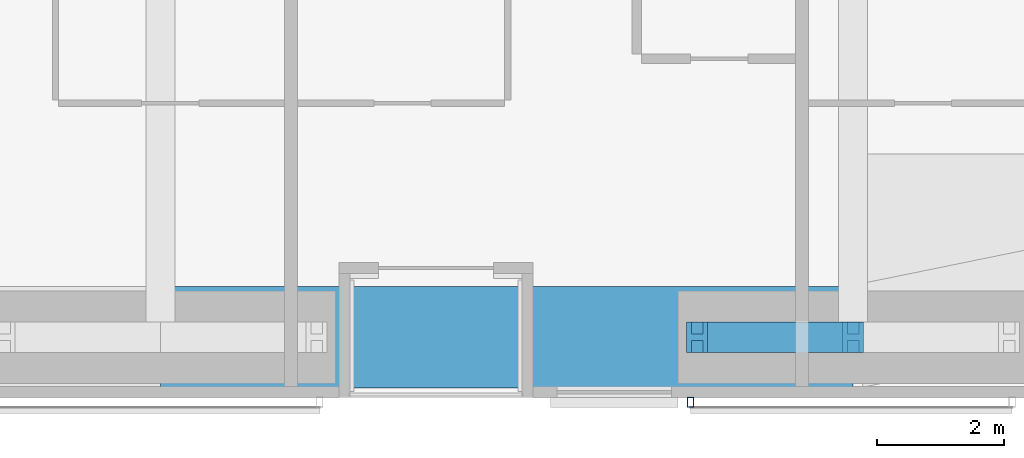
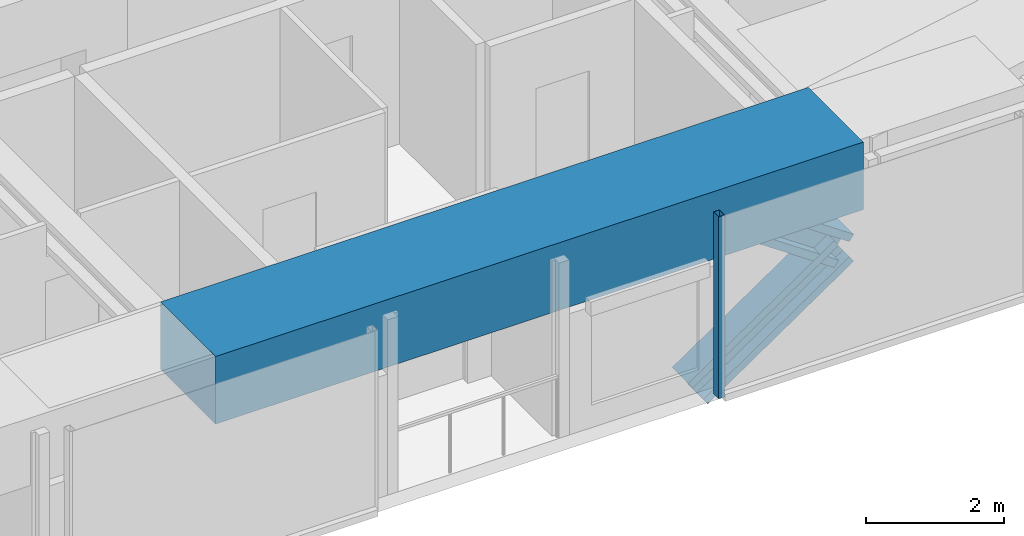
# One storey, part 5 of 24: 3 members, 1 beam, 1 element without a shape of its own.
"""IFC4 building model written with IfcOpenShell, lengths in metres."""

from ifc_helpers import new_model, si_unit, direction, frame, origin, origin_2d, place, context, subcontext, project, spatial, rectangle, hollow_rectangle, i_section, extrude, material, material_profile, profile_set, type_object, element, aggregate, save


model = new_model("IFC4")

# Units and contexts
model_context = context("Model", 3, precision=1e-05, world=origin(), true_north=direction((0.0, 1.0)))
body_context = subcontext(model_context, "Body", "Model", "MODEL_VIEW")
ifc_project = project(units=[si_unit("LENGTHUNIT", "METRE"), si_unit("AREAUNIT", "SQUARE_METRE"), si_unit("VOLUMEUNIT", "CUBIC_METRE"), si_unit("PLANEANGLEUNIT", "RADIAN"), si_unit("MASSUNIT", "GRAM", prefix="KILO")], contexts=[model_context])

# Site, building, storey
site_placement = place(None, origin())
site = spatial("IfcSite", under=ifc_project, at=site_placement, CompositionType="ELEMENT")
building_placement = place(site_placement, origin())
building = spatial("IfcBuilding", under=site, at=building_placement, Name="Jalousie Tower", CompositionType="ELEMENT")
storey_placement = place(building_placement, frame((0.0, 0.0, 91.449951171875)))
storey = spatial("IfcBuildingStorey", under=building, at=storey_placement, Name="L24", CompositionType="ELEMENT", Elevation=91.449951171875)

# Members
ifc_material_1 = material(Name="Steel ASTM A992 Grade 50", Category="steel")
ifc_material_profile_1 = material_profile(ifc_material_1, i_section(OverallWidth=0.472412109375, OverallDepth=0.5791015625, WebThickness=0.094970703125, FlangeThickness=0.1298828125, at=origin_2d()), Name="W14X808")
ifc_profile_set_1 = profile_set([ifc_material_profile_1], Name="Steel ASTM A992 Grade 50")
member_type_1 = type_object("IfcMemberType", Name="PERIMETER BRACE W14X808", PredefinedType="BRACE", material=ifc_profile_set_1)
for number, where, z_axis, x_axis, name in (
    (1, (36.175048828125, 0.949951171875, -0.599853515625), (0.825539243753, 0.0, 0.564344714713), (0.0, 1.0, 0.0), "Perimeter brace 04 L24 part 1"),
    (2, (38.625, 0.949951171875, 1.074951171875), (-0.825500916831, 0.0, 0.564400776321), (0.0, -1.0, 0.0), "Perimeter brace 04 L24 part 4"),
):
    element("IfcMember", number, at=place(storey_placement, frame(where, z_axis=z_axis, x_axis=x_axis)), inside=storey, type_object=member_type_1, Name=name, PredefinedType="BRACE", context=body_context, shape_type="SweptSolid", body=[
        extrude(i_section(OverallWidth=0.472412109375, OverallDepth=0.5791015625, WebThickness=0.094970703125, FlangeThickness=0.1298828125, at=origin_2d()), origin(), (0.0, 0.0, 1.0), 2.9677734375),
    ])

# Beam
ifc_material_2 = material(Name="Concrete f'c 40 MPa", Category="concrete")
ifc_material_profile_2 = material_profile(ifc_material_2, rectangle(XDim=1.60009765625, YDim=1.199951171875, at=origin_2d()), Name="RC 1600x1200")
ifc_profile_set_2 = profile_set([ifc_material_profile_2], Name="Concrete f'c 40 MPa")
beam_type = type_object("IfcBeamType", Name="RC BEAM 1600x1200", PredefinedType="BEAM", material=ifc_profile_set_2)
beam_placement = place(storey_placement, frame((27.75, 0.949951171875, 2.75), z_axis=(1.0, 0.0, 0.0), x_axis=(0.0, 1.0, 0.0)))
element("IfcBeam", 3, at=beam_placement, inside=storey, type_object=beam_type, Name="Edge band beam 03-04 under L25", PredefinedType="BEAM", context=body_context, shape_type="SweptSolid", body=[
    extrude(rectangle(XDim=1.60009765625, YDim=1.199951171875, at=origin_2d()), origin(), (0.0, 0.0, 1.0), 10.875),
])

# Curtain wall, member
ifc_material_3 = material(Name="Perforated aluminium sheet", Category="aluminium")
curtain_wall_type = type_object("IfcCurtainWallType", Name="SOLAR SCREEN SS-1", PredefinedType="USERDEFINED", material=ifc_material_3)
curtain_wall_placement = place(storey_placement, origin())
curtain_wall = element("IfcCurtainWall", 4, at=curtain_wall_placement, inside=storey, type_object=curtain_wall_type, Name="Solar screen L24", ObjectType="SOLAR SCREEN SS-1", PredefinedType="USERDEFINED")
ifc_material_4 = material(Name="Steel ASTM A500 Grade C", Category="steel")
ifc_material_profile_3 = material_profile(ifc_material_4, hollow_rectangle(XDim=0.1015625, YDim=0.15234375, WallThickness=0.00634765625, at=origin_2d()), Name="HSS6X4X1/4")
ifc_profile_set_3 = profile_set([ifc_material_profile_3], Name="Steel ASTM A500 Grade C")
member_type_2 = type_object("IfcMemberType", Name="SOLAR SCREEN SS-1 MULLION", PredefinedType="MULLION", material=ifc_profile_set_3)
member_placement = place(storey_placement, frame((36.074951171875, -0.0712890625, -0.119873046875), z_axis=(0.0, 0.0, 1.0), x_axis=(1.0, 0.0, 0.0)))
member = element("IfcMember", 5, at=member_placement, type_object=member_type_2, Name="SS1 post 1", PredefinedType="MULLION", context=body_context, shape_type="SweptSolid", body=[
    extrude(hollow_rectangle(XDim=0.1015625, YDim=0.15234375, WallThickness=0.00634765625, at=origin_2d()), origin(), (0.0, 0.0, 1.0), 3.22998046875),
])
aggregate(curtain_wall, [member])

save(model, "model.ifc")
